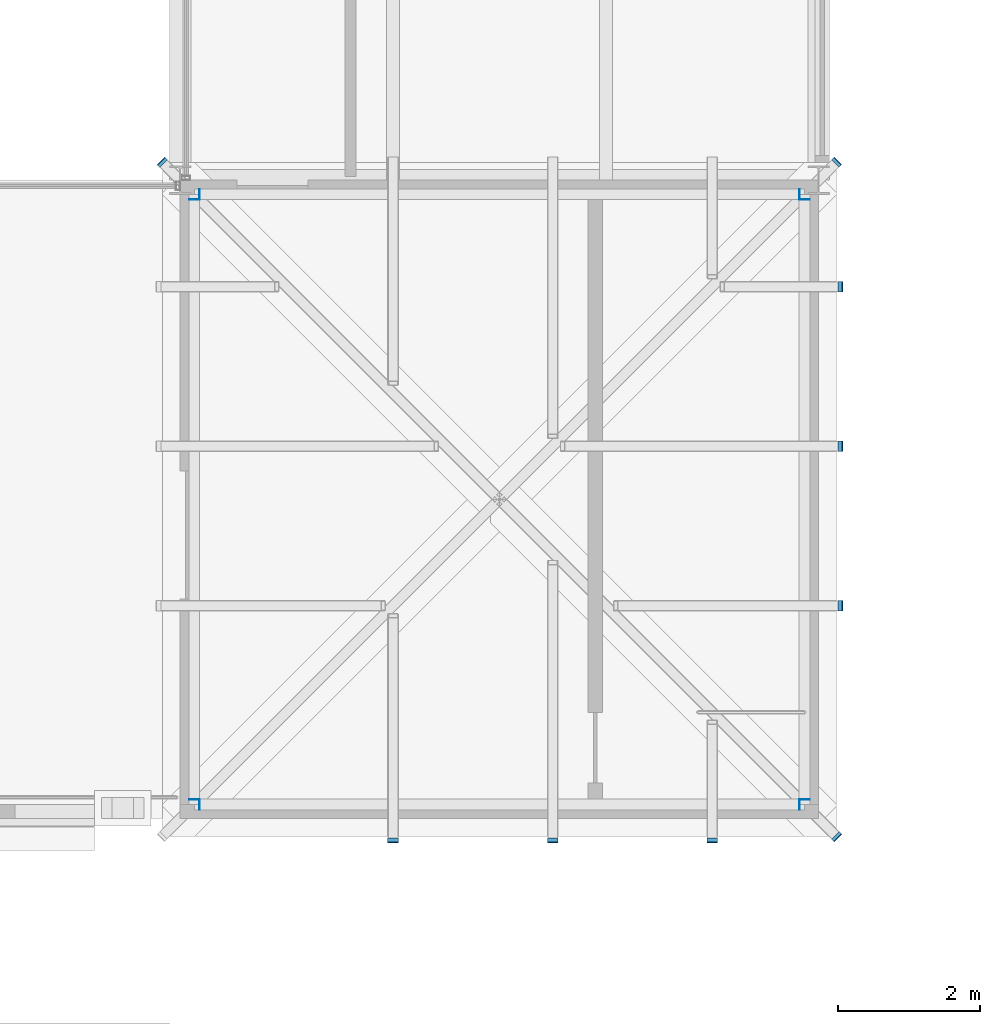
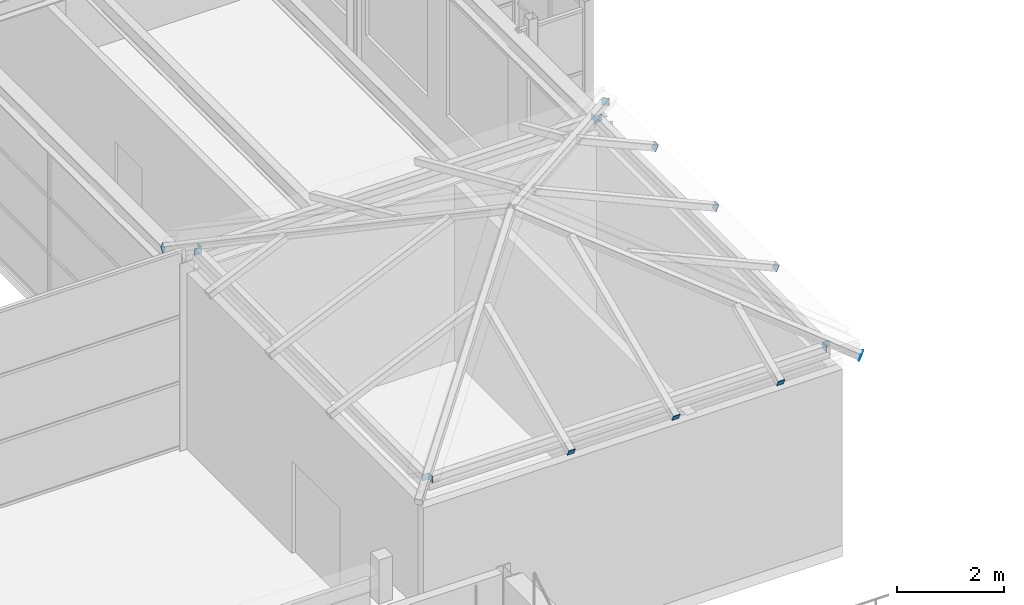
# One storey, part 113 of 149: 17 discrete accessories.
"""IFC4 building model written with IfcOpenShell, lengths in metres."""

from ifc_helpers import new_model, si_unit, direction, frame, origin, origin_2d, place, context, subcontext, project, spatial, rectangle, extrude, material, material_profile, profile_set, type_object, element, save


model = new_model("IFC4")

# Units and contexts
model_context = context("Model", 3, precision=1e-05, world=origin(), true_north=direction((0.0, 1.0)))
body_context = subcontext(model_context, "Body", "Model", "MODEL_VIEW")
ifc_project = project(units=[si_unit("LENGTHUNIT", "METRE"), si_unit("AREAUNIT", "SQUARE_METRE"), si_unit("VOLUMEUNIT", "CUBIC_METRE"), si_unit("PLANEANGLEUNIT", "RADIAN"), si_unit("MASSUNIT", "GRAM", prefix="KILO")], contexts=[model_context])

# Site, building, storey
site_placement = place(None, origin())
site = spatial("IfcSite", under=ifc_project, at=site_placement, CompositionType="ELEMENT")
building_placement = place(site_placement, origin())
building = spatial("IfcBuilding", under=site, at=building_placement, Name="Kallimachos Central Library", CompositionType="ELEMENT")
storey_placement = place(building_placement, frame((0.0, 0.0, 9.89990234375)))
storey = spatial("IfcBuildingStorey", under=building, at=storey_placement, Name="L02", CompositionType="ELEMENT", Elevation=9.89990234375)

# Discrete accessories
ifc_material = material(Name="Steel S355J2", Category="steel")
ifc_material_profile = material_profile(ifc_material, rectangle(XDim=0.14990234375, YDim=0.14990234375, at=origin_2d()), Name="End cap plate 10, 150x150")
ifc_profile_set = profile_set([ifc_material_profile], Name="Steel S355J2")
discrete_accessory_type = type_object("IfcDiscreteAccessoryType", Name="End cap plate 10, 150x150", PredefinedType="BRACKET", material=ifc_profile_set)
for number, where, z_axis, x_axis, name in (
    (1, (101.764892578125, 48.199951171875, 4.47509765625), (1.0, 0.0, 0.0), (0.0, 1.0, 0.0), "End cap plate"),
    (2, (110.22509765625, 48.199951171875, 4.47509765625), (1.0, 0.0, 0.0), (0.0, 1.0, 0.0), "End cap plate"),
    (3, (101.764892578125, 56.800048828125, 4.47509765625), (1.0, 0.0, 0.0), (0.0, 1.0, 0.0), "End cap plate"),
    (4, (110.22509765625, 56.800048828125, 4.47509765625), (1.0, 0.0, 0.0), (0.0, 1.0, 0.0), "End cap plate"),
    (5, (101.699951171875, 48.264892578125, 4.47509765625), (0.0, 1.0, 0.0), (-1.0, 0.0, 0.0), "End cap plate"),
    (6, (101.699951171875, 56.72509765625, 4.47509765625), (0.0, 1.0, 0.0), (-1.0, 0.0, 0.0), "End cap plate"),
    (7, (110.300048828125, 48.264892578125, 4.47509765625), (0.0, 1.0, 0.0), (-1.0, 0.0, 0.0), "End cap plate"),
    (8, (110.300048828125, 56.72509765625, 4.47509765625), (0.0, 1.0, 0.0), (-1.0, 0.0, 0.0), "End cap plate"),
    (9, (104.5, 47.69091796875, 4.405517578125), (0.0, 0.908676843963, 0.417500171551), (-1.0, 0.0, 0.0), "End cap plate"),
    (10, (106.75, 47.69091796875, 4.405517578125), (0.0, 0.908676843963, 0.417500171551), (-1.0, 0.0, 0.0), "End cap plate"),
    (11, (109.0, 47.69091796875, 4.405517578125), (0.0, 0.908676843963, 0.417500171551), (-1.0, 0.0, 0.0), "End cap plate"),
    (12, (110.80908203125, 51.0, 4.405517578125), (-0.908676843963, 0.0, 0.417500171551), (0.0, -1.0, 0.0), "End cap plate"),
    (13, (110.80908203125, 53.25, 4.405517578125), (-0.908676843963, 0.0, 0.417500171551), (0.0, -1.0, 0.0), "End cap plate"),
    (14, (110.80908203125, 55.5, 4.405517578125), (-0.908676843963, 0.0, 0.417500171551), (0.0, -1.0, 0.0), "End cap plate"),
    (15, (110.7568359375, 47.7431640625, 4.378662109375), (-0.676715542332, 0.676715542332, 0.290020946714), (-0.707106781187, -0.707106781187, 0.0), "End cap plate"),
    (16, (101.2431640625, 57.2568359375, 4.378662109375), (0.676715542332, -0.676715542332, 0.290020946714), (0.707106781187, 0.707106781187, 0.0), "End cap plate"),
    (17, (110.7568359375, 57.2568359375, 4.378662109375), (-0.676715542332, -0.676715542332, 0.290020946714), (0.707106781187, -0.707106781187, 0.0), "End cap plate"),
):
    element("IfcDiscreteAccessory", number, at=place(storey_placement, frame(where, z_axis=z_axis, x_axis=x_axis)), inside=storey, type_object=discrete_accessory_type, Name=name, PredefinedType="BRACKET", context=body_context, shape_type="SweptSolid", body=[
        extrude(rectangle(XDim=0.14990234375, YDim=0.14990234375, at=origin_2d()), origin(), (0.0, 0.0, 1.0), 0.010009765625),
    ])

save(model, "model.ifc")
